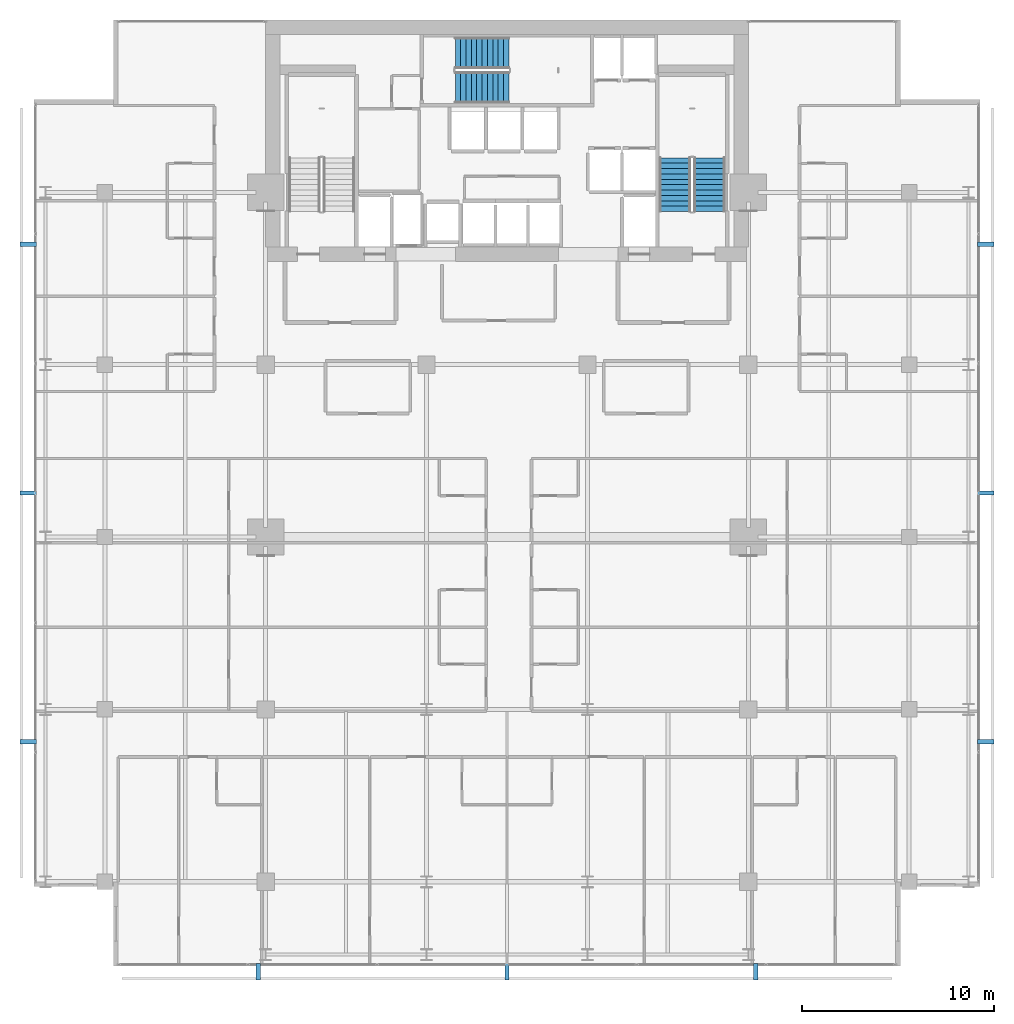
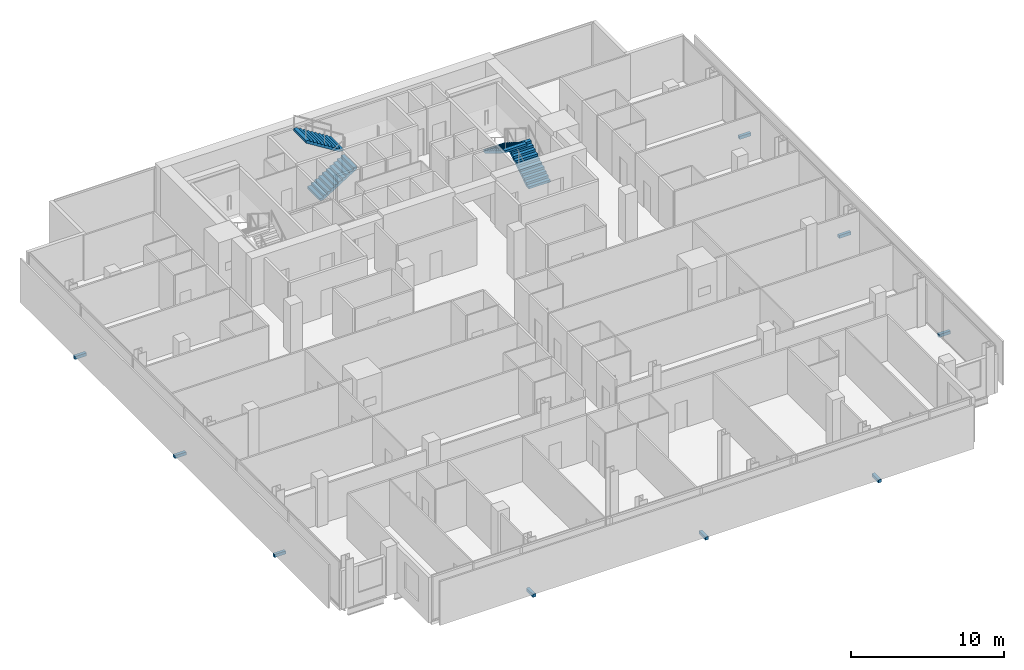
# One storey, part 32 of 34: 9 discrete accessories, 4 stair flights, 2 elements without a shape of their own.
"""IFC4 building model written with IfcOpenShell, lengths in metres."""

from ifc_helpers import new_model, si_unit, direction, frame, origin, origin_2d, place, context, subcontext, project, spatial, polyline, rectangle, outline, extrude, material, type_object, element, aggregate, save


model = new_model("IFC4")

# Units and contexts
model_context = context("Model", 3, precision=1e-05, world=origin(), true_north=direction((0.0, 1.0)))
body_context = subcontext(model_context, "Body", "Model", "MODEL_VIEW")
ifc_project = project(units=[si_unit("LENGTHUNIT", "METRE"), si_unit("AREAUNIT", "SQUARE_METRE"), si_unit("VOLUMEUNIT", "CUBIC_METRE"), si_unit("PLANEANGLEUNIT", "RADIAN"), si_unit("MASSUNIT", "GRAM", prefix="KILO")], contexts=[model_context])

# Site, building, storey
site_placement = place(None, origin())
site = spatial("IfcSite", under=ifc_project, at=site_placement, CompositionType="ELEMENT")
building_placement = place(site_placement, origin())
building = spatial("IfcBuilding", under=site, at=building_placement, Name="Maruvema Waterfront Hotel and Observation Tower", CompositionType="ELEMENT")
storey_placement = place(building_placement, frame((0.0, 0.0, 208.25)))
storey = spatial("IfcBuildingStorey", under=building, at=storey_placement, Name="L51", CompositionType="ELEMENT", Elevation=208.25)

# Stair, stair flights
ifc_material_1 = material(Name="Concrete C50/60", Category="concrete")
stair_type = type_object("IfcStairType", Name="Dogleg Exit Stair 1650 mm (22R x 175.0 mm)", PredefinedType="HALF_TURN_STAIR", material=ifc_material_1)
stair_1_placement = place(storey_placement, origin())
stair_1 = element("IfcStair", 1, at=stair_1_placement, inside=storey, type_object=stair_type, Name="L51 ST-02", PredefinedType="HALF_TURN_STAIR")
ifc_material_2 = material(Name="Concrete C50/60", Category="concrete")
stair_flight_type = type_object("IfcStairFlightType", Name="Reinforced Concrete Stair Flight 1650 mm (11R x 175.0 mm)", PredefinedType="STRAIGHT", material=ifc_material_2)
stair_flight_1_placement = place(storey_placement, frame((35.10009765625, 50.47509765625, 0.0), z_axis=(0.0, 0.0, 1.0), x_axis=(1.0, 0.0, 0.0)))
stair_flight_1 = element("IfcStairFlight", 2, at=stair_flight_1_placement, type_object=stair_flight_type, Name="ST-02 flight 1", NumberOfRisers=11, NumberOfTreads=10, PredefinedType="STRAIGHT", RiserHeight=0.175, TreadLength=0.28, context=body_context, shape_type="SweptSolid", body=[
    extrude(outline(polyline([(0.0, 0.0), (0.0, 0.175048828125), (0.280029296875, 0.175048828125), (0.280029296875, 0.35009765625), (0.56005859375, 0.35009765625), (0.56005859375, 0.52490234375), (0.840087890625, 0.52490234375), (0.840087890625, 0.699951171875), (1.1201171875, 0.699951171875), (1.1201171875, 0.875), (1.39990234375, 0.875), (1.39990234375, 1.050048828125), (1.679931640625, 1.050048828125), (1.679931640625, 1.22509765625), (1.9599609375, 1.22509765625), (1.9599609375, 1.39990234375), (2.239990234375, 1.39990234375), (2.239990234375, 1.574951171875), (2.52001953125, 1.574951171875), (2.52001953125, 1.75), (2.800048828125, 1.75), (2.800048828125, 1.925048828125), (2.800048828125, 1.5732421875), (0.28271484375, 0.0), (0.0, 0.0)])), frame((0.0, 0.824951171875, 0.0), z_axis=(0.0, -1.0, 0.0), x_axis=(1.0, 0.0, 0.0)), (0.0, 0.0, 1.0), 1.64990234375),
])
stair_flight_2_placement = place(storey_placement, frame((37.89990234375, 52.27490234375, 1.925048828125), z_axis=(0.0, 0.0, 1.0), x_axis=(-1.0, 0.0, 0.0)))
stair_flight_2 = element("IfcStairFlight", 3, at=stair_flight_2_placement, type_object=stair_flight_type, Name="ST-02 flight 2", NumberOfRisers=11, NumberOfTreads=10, PredefinedType="STRAIGHT", RiserHeight=0.175, TreadLength=0.28, context=body_context, shape_type="SweptSolid", body=[
    extrude(outline(polyline([(0.0, 0.0), (0.0, 0.175048828125), (0.280029296875, 0.175048828125), (0.280029296875, 0.35009765625), (0.56005859375, 0.35009765625), (0.56005859375, 0.52490234375), (0.840087890625, 0.52490234375), (0.840087890625, 0.699951171875), (1.1201171875, 0.699951171875), (1.1201171875, 0.875), (1.39990234375, 0.875), (1.39990234375, 1.050048828125), (1.679931640625, 1.050048828125), (1.679931640625, 1.22509765625), (1.9599609375, 1.22509765625), (1.9599609375, 1.39990234375), (2.239990234375, 1.39990234375), (2.239990234375, 1.574951171875), (2.52001953125, 1.574951171875), (2.52001953125, 1.75), (2.800048828125, 1.75), (2.800048828125, 1.925048828125), (2.800048828125, 1.5732421875), (0.28271484375, 0.0), (0.0, 0.0)])), frame((0.0, 0.824951171875, 0.0), z_axis=(0.0, -1.0, 0.0), x_axis=(1.0, 0.0, 0.0)), (0.0, 0.0, 1.0), 1.64990234375),
])
aggregate(stair_1, [stair_flight_1, stair_flight_2])

stair_2_placement = place(storey_placement, origin())
stair_2 = element("IfcStair", 4, at=stair_2_placement, inside=storey, type_object=stair_type, Name="L51 ST-03", PredefinedType="HALF_TURN_STAIR")
stair_flight_3_placement = place(storey_placement, frame((48.375, 44.0, 0.0), z_axis=(0.0, 0.0, 1.0), x_axis=(0.0, 1.0, 0.0)))
stair_flight_3 = element("IfcStairFlight", 5, at=stair_flight_3_placement, type_object=stair_flight_type, Name="ST-03 flight 1", NumberOfRisers=11, NumberOfTreads=10, PredefinedType="STRAIGHT", RiserHeight=0.175, TreadLength=0.28, context=body_context, shape_type="SweptSolid", body=[
    extrude(outline(polyline([(0.0, 0.0), (0.0, 0.175048828125), (0.280029296875, 0.175048828125), (0.280029296875, 0.35009765625), (0.56005859375, 0.35009765625), (0.56005859375, 0.52490234375), (0.840087890625, 0.52490234375), (0.840087890625, 0.699951171875), (1.1201171875, 0.699951171875), (1.1201171875, 0.875), (1.39990234375, 0.875), (1.39990234375, 1.050048828125), (1.679931640625, 1.050048828125), (1.679931640625, 1.22509765625), (1.9599609375, 1.22509765625), (1.9599609375, 1.39990234375), (2.239990234375, 1.39990234375), (2.239990234375, 1.574951171875), (2.52001953125, 1.574951171875), (2.52001953125, 1.75), (2.800048828125, 1.75), (2.800048828125, 1.925048828125), (2.800048828125, 1.5732421875), (0.28271484375, 0.0), (0.0, 0.0)])), frame((0.0, 0.824951171875, 0.0), z_axis=(0.0, -1.0, 0.0), x_axis=(1.0, 0.0, 0.0)), (0.0, 0.0, 1.0), 1.64990234375),
])
stair_flight_4_placement = place(storey_placement, frame((46.574951171875, 46.800048828125, 1.925048828125), z_axis=(0.0, 0.0, 1.0), x_axis=(0.0, -1.0, 0.0)))
stair_flight_4 = element("IfcStairFlight", 6, at=stair_flight_4_placement, type_object=stair_flight_type, Name="ST-03 flight 2", NumberOfRisers=11, NumberOfTreads=10, PredefinedType="STRAIGHT", RiserHeight=0.175, TreadLength=0.28, context=body_context, shape_type="SweptSolid", body=[
    extrude(outline(polyline([(0.0, 0.0), (0.0, 0.175048828125), (0.280029296875, 0.175048828125), (0.280029296875, 0.35009765625), (0.56005859375, 0.35009765625), (0.56005859375, 0.52490234375), (0.840087890625, 0.52490234375), (0.840087890625, 0.699951171875), (1.1201171875, 0.699951171875), (1.1201171875, 0.875), (1.39990234375, 0.875), (1.39990234375, 1.050048828125), (1.679931640625, 1.050048828125), (1.679931640625, 1.22509765625), (1.9599609375, 1.22509765625), (1.9599609375, 1.39990234375), (2.239990234375, 1.39990234375), (2.239990234375, 1.574951171875), (2.52001953125, 1.574951171875), (2.52001953125, 1.75), (2.800048828125, 1.75), (2.800048828125, 1.925048828125), (2.800048828125, 1.5732421875), (0.28271484375, 0.0), (0.0, 0.0)])), frame((0.0, 0.824951171875, 0.0), z_axis=(0.0, -1.0, 0.0), x_axis=(1.0, 0.0, 0.0)), (0.0, 0.0, 1.0), 1.64990234375),
])
aggregate(stair_2, [stair_flight_3, stair_flight_4])

# Discrete accessories
ifc_material_3 = material(Name="Duplex stainless steel Grade 2205", Category="steel")
discrete_accessory_type = type_object("IfcDiscreteAccessoryType", Name="Double-Skin Cavity Stainless Outrigger Bracket", PredefinedType="BRACKET", material=ifc_material_3)
for number, where, z_axis, x_axis, name in (
    (7, (24.80810546875, 4.300048828125, -0.14013671875), (0.0, 0.0, 1.0), (1.0, 0.0, 0.0), "L51 Outer Skin Support Bracket 1"),
    (8, (37.800048828125, 4.300048828125, -0.14013671875), (0.0, 0.0, 1.0), (1.0, 0.0, 0.0), "L51 Outer Skin Support Bracket 2"),
    (9, (50.7919921875, 4.300048828125, -0.14013671875), (0.0, 0.0, 1.0), (1.0, 0.0, 0.0), "L51 Outer Skin Support Bracket 3"),
    (10, (62.800048828125, 16.30810546875, -0.14013671875), (0.0, 0.0, 1.0), (0.0, 1.0, 0.0), "L51 Outer Skin Support Bracket 1"),
    (11, (62.800048828125, 29.300048828125, -0.14013671875), (0.0, 0.0, 1.0), (0.0, 1.0, 0.0), "L51 Outer Skin Support Bracket 2"),
    (12, (62.800048828125, 42.2919921875, -0.14013671875), (0.0, 0.0, 1.0), (0.0, 1.0, 0.0), "L51 Outer Skin Support Bracket 3"),
    (13, (12.800048828125, 42.2919921875, -0.14013671875), (0.0, 0.0, 1.0), (0.0, -1.0, 0.0), "L51 Outer Skin Support Bracket 1"),
    (14, (12.800048828125, 29.300048828125, -0.14013671875), (0.0, 0.0, 1.0), (0.0, -1.0, 0.0), "L51 Outer Skin Support Bracket 2"),
    (15, (12.800048828125, 16.30810546875, -0.14013671875), (0.0, 0.0, 1.0), (0.0, -1.0, 0.0), "L51 Outer Skin Support Bracket 3"),
):
    element("IfcDiscreteAccessory", number, at=place(storey_placement, frame(where, z_axis=z_axis, x_axis=x_axis)), inside=storey, type_object=discrete_accessory_type, Name=name, PredefinedType="BRACKET", context=body_context, shape_type="SweptSolid", body=[
        extrude(rectangle(XDim=0.219970703125, YDim=0.860107421875, at=origin_2d()), origin(), (0.0, 0.0, 1.0), 0.239990234375),
    ])

save(model, "model.ifc")
